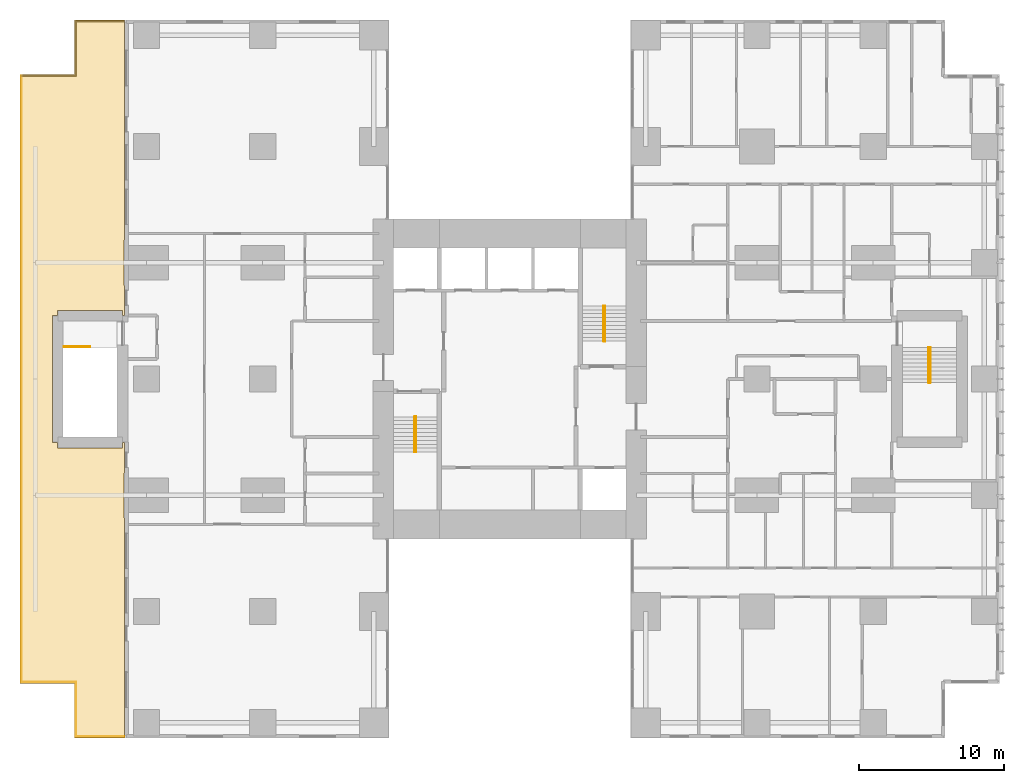
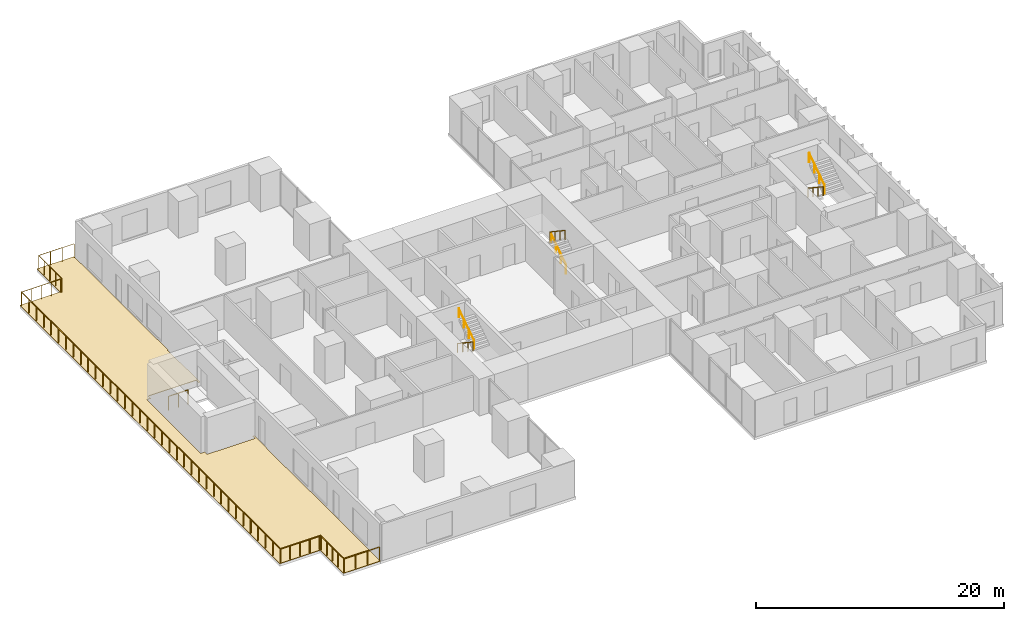
# One storey, part 16 of 16: 9 railings, 2 coverings.
"""IFC4 building model written with IfcOpenShell, lengths in metres."""

from ifc_helpers import new_model, si_unit, direction, frame, origin, origin_2d, place, context, subcontext, project, spatial, polyline, circle, outline, extrude, material, layer, layer_set, type_object, element, save


model = new_model("IFC4")

# Units and contexts
model_context = context("Model", 3, precision=1e-05, world=origin(), true_north=direction((0.0, 1.0)))
body_context = subcontext(model_context, "Body", "Model", "MODEL_VIEW")
ifc_project = project(units=[si_unit("LENGTHUNIT", "METRE"), si_unit("AREAUNIT", "SQUARE_METRE"), si_unit("VOLUMEUNIT", "CUBIC_METRE"), si_unit("PLANEANGLEUNIT", "RADIAN"), si_unit("MASSUNIT", "GRAM", prefix="KILO")], contexts=[model_context])

# Site, building, storey
site_placement = place(None, origin())
site = spatial("IfcSite", under=ifc_project, at=site_placement, CompositionType="ELEMENT")
building_placement = place(site_placement, origin())
building = spatial("IfcBuilding", under=site, at=building_placement, Name="Cleftline Residences", CompositionType="ELEMENT")
storey_placement = place(building_placement, frame((0.0, 0.0, 218.199951171875)))
storey = spatial("IfcBuildingStorey", under=building, at=storey_placement, Name="L57", CompositionType="ELEMENT", Elevation=218.199951171875)

# Railings
ifc_material_1 = material(Name="Stainless steel", Category="steel")
railing_type_1 = type_object("IfcRailingType", Name="HANDRAIL 900", PredefinedType="HANDRAIL", material=ifc_material_1)
railing_1_placement = place(storey_placement, frame((26.449951171875, 21.39990234375, 0.179931640625)))
element("IfcRailing", 1, at=railing_1_placement, inside=storey, type_object=railing_type_1, Name="Stair handrail", PredefinedType="HANDRAIL", context=body_context, shape_type="SweptSolid", body=[
    extrude(circle(Radius=0.02392578125, at=origin_2d()), frame((0.0, 0.0, 0.8759765625), z_axis=(0.0, -0.832024571796, 0.554738778101), x_axis=(1.0, 0.0, 0.0)), (0.0, 0.0, 1.0), 2.92041015625),
    extrude(circle(Radius=0.02099609375, at=origin_2d()), origin(), (0.0, 0.0, 1.0), 0.851806640625),
    extrude(circle(Radius=0.02099609375, at=origin_2d()), frame((0.0, -0.81005859375, 0.5400390625)), (0.0, 0.0, 1.0), 0.851806640625),
    extrude(circle(Radius=0.02099609375, at=origin_2d()), frame((0.0, -1.619873046875, 1.080078125)), (0.0, 0.0, 1.0), 0.851806640625),
    extrude(circle(Radius=0.02099609375, at=origin_2d()), frame((0.0, -2.429931640625, 1.6201171875)), (0.0, 0.0, 1.0), 0.851806640625),
])
for number, where, name in (
    (2, (26.550048828125, 18.969970703125, 1.97998046875), "Stair handrail"),
    (3, (39.550048828125, 26.60009765625, 0.179931640625), "Stair handrail"),
):
    element("IfcRailing", number, at=place(storey_placement, frame(where)), inside=storey, type_object=railing_type_1, Name=name, PredefinedType="HANDRAIL", context=body_context, shape_type="SweptSolid", body=[
        extrude(circle(Radius=0.02392578125, at=origin_2d()), frame((0.0, 0.0, 0.8759765625), z_axis=(0.0, 0.832024571796, 0.554738778101), x_axis=(-1.0, 0.0, 0.0)), (0.0, 0.0, 1.0), 2.92041015625),
        extrude(circle(Radius=0.02099609375, at=origin_2d()), origin(), (0.0, 0.0, 1.0), 0.851806640625),
        extrude(circle(Radius=0.02099609375, at=origin_2d()), frame((0.0, 0.81005859375, 0.5400390625)), (0.0, 0.0, 1.0), 0.851806640625),
        extrude(circle(Radius=0.02099609375, at=origin_2d()), frame((0.0, 1.619873046875, 1.080078125)), (0.0, 0.0, 1.0), 0.851806640625),
        extrude(circle(Radius=0.02099609375, at=origin_2d()), frame((0.0, 2.429931640625, 1.6201171875)), (0.0, 0.0, 1.0), 0.851806640625),
    ])
for number, where, name in (
    (4, (39.449951171875, 29.030029296875, 1.97998046875), "Stair handrail"),
    (5, (61.824951171875, 26.175048828125, 0.179931640625), "Stair handrail"),
):
    element("IfcRailing", number, at=place(storey_placement, frame(where)), inside=storey, type_object=railing_type_1, Name=name, PredefinedType="HANDRAIL", context=body_context, shape_type="SweptSolid", body=[
        extrude(circle(Radius=0.02392578125, at=origin_2d()), frame((0.0, 0.0, 0.8759765625), z_axis=(0.0, -0.832024571796, 0.554738778101), x_axis=(1.0, 0.0, 0.0)), (0.0, 0.0, 1.0), 2.92041015625),
        extrude(circle(Radius=0.02099609375, at=origin_2d()), origin(), (0.0, 0.0, 1.0), 0.851806640625),
        extrude(circle(Radius=0.02099609375, at=origin_2d()), frame((0.0, -0.81005859375, 0.5400390625)), (0.0, 0.0, 1.0), 0.851806640625),
        extrude(circle(Radius=0.02099609375, at=origin_2d()), frame((0.0, -1.619873046875, 1.080078125)), (0.0, 0.0, 1.0), 0.851806640625),
        extrude(circle(Radius=0.02099609375, at=origin_2d()), frame((0.0, -2.429931640625, 1.6201171875)), (0.0, 0.0, 1.0), 0.851806640625),
    ])
railing_2_placement = place(storey_placement, frame((61.925048828125, 23.7451171875, 1.97998046875)))
element("IfcRailing", 6, at=railing_2_placement, inside=storey, type_object=railing_type_1, Name="Stair handrail", PredefinedType="HANDRAIL", context=body_context, shape_type="SweptSolid", body=[
    extrude(circle(Radius=0.02392578125, at=origin_2d()), frame((0.0, 0.0, 0.8759765625), z_axis=(0.0, 0.832024571796, 0.554738778101), x_axis=(-1.0, 0.0, 0.0)), (0.0, 0.0, 1.0), 2.92041015625),
    extrude(circle(Radius=0.02099609375, at=origin_2d()), origin(), (0.0, 0.0, 1.0), 0.851806640625),
    extrude(circle(Radius=0.02099609375, at=origin_2d()), frame((0.0, 0.81005859375, 0.5400390625)), (0.0, 0.0, 1.0), 0.851806640625),
    extrude(circle(Radius=0.02099609375, at=origin_2d()), frame((0.0, 1.619873046875, 1.080078125)), (0.0, 0.0, 1.0), 0.851806640625),
    extrude(circle(Radius=0.02099609375, at=origin_2d()), frame((0.0, 2.429931640625, 1.6201171875)), (0.0, 0.0, 1.0), 0.851806640625),
])
ifc_material_2 = material(Name="Stainless steel and laminated glass", Category="steel")
railing_type_2 = type_object("IfcRailingType", Name="TERRACE GUARD 1400", PredefinedType="GUARDRAIL", material=ifc_material_2)
railing_3_placement = place(storey_placement, frame((-0.60009765625, 44.85009765625, 0.0)))
element("IfcRailing", 7, at=railing_3_placement, inside=storey, type_object=railing_type_2, Name="Terrace guard", PredefinedType="GUARDRAIL", context=body_context, shape_type="SweptSolid", body=[
    extrude(circle(Radius=0.02392578125, at=origin_2d()), frame((0.0, 0.0, 1.3759765625), z_axis=(1.0, 0.0, 0.0), x_axis=(0.0, 1.0, 0.0)), (0.0, 0.0, 1.0), 3.65234375),
    extrude(circle(Radius=0.02392578125, at=origin_2d()), frame((3.65234375, 0.0, 1.3759765625), z_axis=(0.998891678356, 0.047068194268, 0.0), x_axis=(-0.047068194268, 0.998891678356, 0.0)), (0.0, 0.0, 1.0), 0.09326171875),
    extrude(circle(Radius=0.02392578125, at=origin_2d()), frame((3.74560546875, 0.00439453125, 1.3759765625), z_axis=(0.047068194268, 0.998891678356, 0.0), x_axis=(-0.998891678356, 0.047068194268, 0.0)), (0.0, 0.0, 1.0), 0.09326171875),
    extrude(circle(Radius=0.02392578125, at=origin_2d()), frame((3.75, 0.09765625, 1.3759765625), z_axis=(0.0, 1.0, 0.0), x_axis=(-1.0, 0.0, 0.0)), (0.0, 0.0, 1.0), 3.65234375),
    extrude(circle(Radius=0.02392578125, at=origin_2d()), frame((3.75, 3.75, 1.3759765625), z_axis=(1.0, 0.0, 0.0), x_axis=(0.0, 1.0, 0.0)), (0.0, 0.0, 1.0), 3.300048828125),
    extrude(circle(Radius=0.02099609375, at=origin_2d()), origin(), (0.0, 0.0, 1.0), 1.351806640625),
    extrude(circle(Radius=0.02099609375, at=origin_2d()), frame((0.9130859375, 0.0, 0.0)), (0.0, 0.0, 1.0), 1.351806640625),
    extrude(circle(Radius=0.02099609375, at=origin_2d()), frame((1.826171875, 0.0, 0.0)), (0.0, 0.0, 1.0), 1.351806640625),
    extrude(circle(Radius=0.02099609375, at=origin_2d()), frame((2.7392578125, 0.0, 0.0)), (0.0, 0.0, 1.0), 1.351806640625),
    extrude(circle(Radius=0.02099609375, at=origin_2d()), frame((3.65234375, 0.0, 0.0)), (0.0, 0.0, 1.0), 1.351806640625),
    extrude(circle(Radius=0.02099609375, at=origin_2d()), frame((3.74560546875, 0.00439453125, 0.0)), (0.0, 0.0, 1.0), 1.351806640625),
    extrude(circle(Radius=0.02099609375, at=origin_2d()), frame((3.75, 0.09765625, 0.0)), (0.0, 0.0, 1.0), 1.351806640625),
    extrude(circle(Radius=0.02099609375, at=origin_2d()), frame((3.75, 1.0107421875, 0.0)), (0.0, 0.0, 1.0), 1.351806640625),
    extrude(circle(Radius=0.02099609375, at=origin_2d()), frame((3.75, 1.923828125, 0.0)), (0.0, 0.0, 1.0), 1.351806640625),
    extrude(circle(Radius=0.02099609375, at=origin_2d()), frame((3.75, 2.8369140625, 0.0)), (0.0, 0.0, 1.0), 1.351806640625),
    extrude(circle(Radius=0.02099609375, at=origin_2d()), frame((3.75, 3.75, 0.0)), (0.0, 0.0, 1.0), 1.351806640625),
    extrude(circle(Radius=0.02099609375, at=origin_2d()), frame((4.85009765625, 3.75, 0.0)), (0.0, 0.0, 1.0), 1.351806640625),
    extrude(circle(Radius=0.02099609375, at=origin_2d()), frame((5.949951171875, 3.75, 0.0)), (0.0, 0.0, 1.0), 1.351806640625),
    extrude(circle(Radius=0.02099609375, at=origin_2d()), frame((7.050048828125, 3.75, 0.0)), (0.0, 0.0, 1.0), 1.351806640625),
])
railing_4_placement = place(storey_placement, frame((6.449951171875, -0.60009765625, 0.0)))
element("IfcRailing", 8, at=railing_4_placement, inside=storey, type_object=railing_type_2, Name="Terrace guard", PredefinedType="GUARDRAIL", context=body_context, shape_type="SweptSolid", body=[
    extrude(circle(Radius=0.02392578125, at=origin_2d()), frame((0.0, 0.0, 1.3759765625), z_axis=(-1.0, 0.0, 0.0), x_axis=(0.0, -1.0, 0.0)), (0.0, 0.0, 1.0), 3.300048828125),
    extrude(circle(Radius=0.02392578125, at=origin_2d()), frame((-3.300048828125, 0.0, 1.3759765625), z_axis=(0.0, 1.0, 0.0), x_axis=(-1.0, 0.0, 0.0)), (0.0, 0.0, 1.0), 3.65234375),
    extrude(circle(Radius=0.02392578125, at=origin_2d()), frame((-3.300048828125, 3.65234375, 1.3759765625), z_axis=(-0.047068194268, 0.998891678356, 0.0), x_axis=(-0.998891678356, -0.047068194268, 0.0)), (0.0, 0.0, 1.0), 0.09326171875),
    extrude(circle(Radius=0.02392578125, at=origin_2d()), frame((-3.304443359375, 3.74560546875, 1.3759765625), z_axis=(-0.998891678356, 0.047068194268, 0.0), x_axis=(-0.047068194268, -0.998891678356, 0.0)), (0.0, 0.0, 1.0), 0.09326171875),
    extrude(circle(Radius=0.02392578125, at=origin_2d()), frame((-3.397705078125, 3.75, 1.3759765625), z_axis=(-1.0, 0.0, 0.0), x_axis=(0.0, -1.0, 0.0)), (0.0, 0.0, 1.0), 3.65234375),
    extrude(circle(Radius=0.02392578125, at=origin_2d()), frame((-7.050048828125, 3.75, 1.3759765625), z_axis=(0.0, 1.0, 0.0), x_axis=(-1.0, 0.0, 0.0)), (0.0, 0.0, 1.0), 41.7001953125),
    extrude(circle(Radius=0.02099609375, at=origin_2d()), origin(), (0.0, 0.0, 1.0), 1.351806640625),
    extrude(circle(Radius=0.02099609375, at=origin_2d()), frame((-1.10009765625, 0.0, 0.0)), (0.0, 0.0, 1.0), 1.351806640625),
    extrude(circle(Radius=0.02099609375, at=origin_2d()), frame((-2.199951171875, 0.0, 0.0)), (0.0, 0.0, 1.0), 1.351806640625),
    extrude(circle(Radius=0.02099609375, at=origin_2d()), frame((-3.300048828125, 0.0, 0.0)), (0.0, 0.0, 1.0), 1.351806640625),
    extrude(circle(Radius=0.02099609375, at=origin_2d()), frame((-3.300048828125, 0.9130859375, 0.0)), (0.0, 0.0, 1.0), 1.351806640625),
    extrude(circle(Radius=0.02099609375, at=origin_2d()), frame((-3.300048828125, 1.826171875, 0.0)), (0.0, 0.0, 1.0), 1.351806640625),
    extrude(circle(Radius=0.02099609375, at=origin_2d()), frame((-3.300048828125, 2.7392578125, 0.0)), (0.0, 0.0, 1.0), 1.351806640625),
    extrude(circle(Radius=0.02099609375, at=origin_2d()), frame((-3.300048828125, 3.65234375, 0.0)), (0.0, 0.0, 1.0), 1.351806640625),
    extrude(circle(Radius=0.02099609375, at=origin_2d()), frame((-3.304443359375, 3.74560546875, 0.0)), (0.0, 0.0, 1.0), 1.351806640625),
    extrude(circle(Radius=0.02099609375, at=origin_2d()), frame((-3.397705078125, 3.75, 0.0)), (0.0, 0.0, 1.0), 1.351806640625),
    extrude(circle(Radius=0.02099609375, at=origin_2d()), frame((-4.310791015625, 3.75, 0.0)), (0.0, 0.0, 1.0), 1.351806640625),
    extrude(circle(Radius=0.02099609375, at=origin_2d()), frame((-5.223876953125, 3.75, 0.0)), (0.0, 0.0, 1.0), 1.351806640625),
    extrude(circle(Radius=0.02099609375, at=origin_2d()), frame((-6.136962890625, 3.75, 0.0)), (0.0, 0.0, 1.0), 1.351806640625),
    extrude(circle(Radius=0.02099609375, at=origin_2d()), frame((-7.050048828125, 3.75, 0.0)), (0.0, 0.0, 1.0), 1.351806640625),
    extrude(circle(Radius=0.02099609375, at=origin_2d()), frame((-7.050048828125, 4.94140625, 0.0)), (0.0, 0.0, 1.0), 1.351806640625),
    extrude(circle(Radius=0.02099609375, at=origin_2d()), frame((-7.050048828125, 6.1328125, 0.0)), (0.0, 0.0, 1.0), 1.351806640625),
    extrude(circle(Radius=0.02099609375, at=origin_2d()), frame((-7.050048828125, 7.32421875, 0.0)), (0.0, 0.0, 1.0), 1.351806640625),
    extrude(circle(Radius=0.02099609375, at=origin_2d()), frame((-7.050048828125, 8.515625, 0.0)), (0.0, 0.0, 1.0), 1.351806640625),
    extrude(circle(Radius=0.02099609375, at=origin_2d()), frame((-7.050048828125, 9.707275390625, 0.0)), (0.0, 0.0, 1.0), 1.351806640625),
    extrude(circle(Radius=0.02099609375, at=origin_2d()), frame((-7.050048828125, 10.898681640625, 0.0)), (0.0, 0.0, 1.0), 1.351806640625),
    extrude(circle(Radius=0.02099609375, at=origin_2d()), frame((-7.050048828125, 12.090087890625, 0.0)), (0.0, 0.0, 1.0), 1.351806640625),
    extrude(circle(Radius=0.02099609375, at=origin_2d()), frame((-7.050048828125, 13.281494140625, 0.0)), (0.0, 0.0, 1.0), 1.351806640625),
    extrude(circle(Radius=0.02099609375, at=origin_2d()), frame((-7.050048828125, 14.472900390625, 0.0)), (0.0, 0.0, 1.0), 1.351806640625),
    extrude(circle(Radius=0.02099609375, at=origin_2d()), frame((-7.050048828125, 15.664306640625, 0.0)), (0.0, 0.0, 1.0), 1.351806640625),
    extrude(circle(Radius=0.02099609375, at=origin_2d()), frame((-7.050048828125, 16.855712890625, 0.0)), (0.0, 0.0, 1.0), 1.351806640625),
    extrude(circle(Radius=0.02099609375, at=origin_2d()), frame((-7.050048828125, 18.047119140625, 0.0)), (0.0, 0.0, 1.0), 1.351806640625),
    extrude(circle(Radius=0.02099609375, at=origin_2d()), frame((-7.050048828125, 19.238525390625, 0.0)), (0.0, 0.0, 1.0), 1.351806640625),
    extrude(circle(Radius=0.02099609375, at=origin_2d()), frame((-7.050048828125, 20.43017578125, 0.0)), (0.0, 0.0, 1.0), 1.351806640625),
    extrude(circle(Radius=0.02099609375, at=origin_2d()), frame((-7.050048828125, 21.62158203125, 0.0)), (0.0, 0.0, 1.0), 1.351806640625),
    extrude(circle(Radius=0.02099609375, at=origin_2d()), frame((-7.050048828125, 22.81298828125, 0.0)), (0.0, 0.0, 1.0), 1.351806640625),
    extrude(circle(Radius=0.02099609375, at=origin_2d()), frame((-7.050048828125, 24.00439453125, 0.0)), (0.0, 0.0, 1.0), 1.351806640625),
    extrude(circle(Radius=0.02099609375, at=origin_2d()), frame((-7.050048828125, 25.19580078125, 0.0)), (0.0, 0.0, 1.0), 1.351806640625),
    extrude(circle(Radius=0.02099609375, at=origin_2d()), frame((-7.050048828125, 26.38720703125, 0.0)), (0.0, 0.0, 1.0), 1.351806640625),
    extrude(circle(Radius=0.02099609375, at=origin_2d()), frame((-7.050048828125, 27.57861328125, 0.0)), (0.0, 0.0, 1.0), 1.351806640625),
    extrude(circle(Radius=0.02099609375, at=origin_2d()), frame((-7.050048828125, 28.77001953125, 0.0)), (0.0, 0.0, 1.0), 1.351806640625),
    extrude(circle(Radius=0.02099609375, at=origin_2d()), frame((-7.050048828125, 29.961669921875, 0.0)), (0.0, 0.0, 1.0), 1.351806640625),
    extrude(circle(Radius=0.02099609375, at=origin_2d()), frame((-7.050048828125, 31.153076171875, 0.0)), (0.0, 0.0, 1.0), 1.351806640625),
    extrude(circle(Radius=0.02099609375, at=origin_2d()), frame((-7.050048828125, 32.344482421875, 0.0)), (0.0, 0.0, 1.0), 1.351806640625),
    extrude(circle(Radius=0.02099609375, at=origin_2d()), frame((-7.050048828125, 33.535888671875, 0.0)), (0.0, 0.0, 1.0), 1.351806640625),
    extrude(circle(Radius=0.02099609375, at=origin_2d()), frame((-7.050048828125, 34.727294921875, 0.0)), (0.0, 0.0, 1.0), 1.351806640625),
    extrude(circle(Radius=0.02099609375, at=origin_2d()), frame((-7.050048828125, 35.918701171875, 0.0)), (0.0, 0.0, 1.0), 1.351806640625),
    extrude(circle(Radius=0.02099609375, at=origin_2d()), frame((-7.050048828125, 37.110107421875, 0.0)), (0.0, 0.0, 1.0), 1.351806640625),
    extrude(circle(Radius=0.02099609375, at=origin_2d()), frame((-7.050048828125, 38.301513671875, 0.0)), (0.0, 0.0, 1.0), 1.351806640625),
    extrude(circle(Radius=0.02099609375, at=origin_2d()), frame((-7.050048828125, 39.492919921875, 0.0)), (0.0, 0.0, 1.0), 1.351806640625),
    extrude(circle(Radius=0.02099609375, at=origin_2d()), frame((-7.050048828125, 40.6845703125, 0.0)), (0.0, 0.0, 1.0), 1.351806640625),
    extrude(circle(Radius=0.02099609375, at=origin_2d()), frame((-7.050048828125, 41.8759765625, 0.0)), (0.0, 0.0, 1.0), 1.351806640625),
    extrude(circle(Radius=0.02099609375, at=origin_2d()), frame((-7.050048828125, 43.0673828125, 0.0)), (0.0, 0.0, 1.0), 1.351806640625),
    extrude(circle(Radius=0.02099609375, at=origin_2d()), frame((-7.050048828125, 44.2587890625, 0.0)), (0.0, 0.0, 1.0), 1.351806640625),
    extrude(circle(Radius=0.02099609375, at=origin_2d()), frame((-7.050048828125, 45.4501953125, 0.0)), (0.0, 0.0, 1.0), 1.351806640625),
])
railing_5_placement = place(storey_placement, frame((2.324951171875, 26.22509765625, 0.0)))
element("IfcRailing", 9, at=railing_5_placement, inside=storey, type_object=railing_type_2, Name="Stair well guard", PredefinedType="GUARDRAIL", context=body_context, shape_type="SweptSolid", body=[
    extrude(circle(Radius=0.02392578125, at=origin_2d()), frame((0.0, 0.0, 1.3759765625), z_axis=(1.0, 0.0, 0.0), x_axis=(0.0, 1.0, 0.0)), (0.0, 0.0, 1.0), 1.800048828125),
    extrude(circle(Radius=0.02099609375, at=origin_2d()), origin(), (0.0, 0.0, 1.0), 1.351806640625),
    extrude(circle(Radius=0.02099609375, at=origin_2d()), frame((0.89990234375, 0.0, 0.0)), (0.0, 0.0, 1.0), 1.351806640625),
    extrude(circle(Radius=0.02099609375, at=origin_2d()), frame((1.800048828125, 0.0, 0.0)), (0.0, 0.0, 1.0), 1.351806640625),
])

# Coverings
ifc_material_3 = material(Name="Porcelain paving on adhesive bed")
ifc_layer_1 = layer(ifc_material_3, 0.0400390625)
ifc_layer_set_1 = layer_set([ifc_layer_1], Name="TERRACE PAVING 40")
covering_type_1 = type_object("IfcCoveringType", Name="TERRACE PAVING 40", PredefinedType="FLOORING", material=ifc_layer_set_1)
covering_1_placement = place(storey_placement, frame((0.0, 0.0, 0.005126953125)))
element("IfcCovering", 10, at=covering_1_placement, inside=storey, type_object=covering_type_1, Name="Terrace paving L57 1", PredefinedType="FLOORING", context=body_context, shape_type="SweptSolid", body=[
    extrude(outline(polyline([(3.050048828125, 3.0498046875), (3.050048828125, -0.68994140625), (3.050048828125, -0.69091796875), (3.05029296875, -0.69189453125), (3.05029296875, -0.69287109375), (3.05078125, -0.69384765625), (3.05126953125, -0.694580078125), (3.0517578125, -0.695556640625), (3.05224609375, -0.6962890625), (3.052978515625, -0.697021484375), (3.0537109375, -0.69775390625), (3.054443359375, -0.6982421875), (3.055419921875, -0.69873046875), (3.05615234375, -0.69921875), (3.05712890625, -0.69970703125), (3.05810546875, -0.69970703125), (3.05908203125, -0.699951171875), (3.06005859375, -0.699951171875), (6.489990234375, -0.699951171875), (6.490966796875, -0.699951171875), (6.491943359375, -0.69970703125), (6.492919921875, -0.69970703125), (6.493896484375, -0.69921875), (6.49462890625, -0.69873046875), (6.49560546875, -0.6982421875), (6.496337890625, -0.69775390625), (6.4970703125, -0.697021484375), (6.497802734375, -0.6962890625), (6.498291015625, -0.695556640625), (6.498779296875, -0.694580078125), (6.499267578125, -0.69384765625), (6.49951171875, -0.69287109375), (6.499755859375, -0.69189453125), (6.5, -0.69091796875), (6.5, -0.68994140625), (6.5, -0.580078125), (6.4951171875, -0.580078125), (6.4951171875, 14.449951171875), (6.449951171875, 14.449951171875), (6.449951171875, 17.550048828125), (6.4951171875, 17.550048828125), (6.4951171875, 19.64501953125), (6.35498046875, 19.64501953125), (6.35498046875, 19.27001953125), (1.89501953125, 19.27001953125), (1.89501953125, 19.64501953125), (1.52001953125, 19.64501953125), (1.52001953125, 28.35498046875), (1.89501953125, 28.35498046875), (1.89501953125, 28.72998046875), (6.35498046875, 28.72998046875), (6.35498046875, 28.35498046875), (6.4951171875, 28.35498046875), (6.4951171875, 30.449951171875), (6.449951171875, 30.449951171875), (6.449951171875, 33.550048828125), (6.4951171875, 33.550048828125), (6.4951171875, 48.580078125), (6.5, 48.580078125), (6.5, 48.68994140625), (6.5, 48.69091796875), (6.499755859375, 48.69189453125), (6.49951171875, 48.69287109375), (6.499267578125, 48.69384765625), (6.498779296875, 48.694580078125), (6.498291015625, 48.695556640625), (6.497802734375, 48.6962890625), (6.4970703125, 48.697021484375), (6.496337890625, 48.69775390625), (6.49560546875, 48.6982421875), (6.49462890625, 48.69873046875), (6.493896484375, 48.69921875), (6.492919921875, 48.69970703125), (6.491943359375, 48.69970703125), (6.490966796875, 48.699951171875), (6.489990234375, 48.699951171875), (3.06005859375, 48.699951171875), (3.05908203125, 48.699951171875), (3.05810546875, 48.69970703125), (3.05712890625, 48.69970703125), (3.05615234375, 48.69921875), (3.055419921875, 48.69873046875), (3.054443359375, 48.6982421875), (3.0537109375, 48.69775390625), (3.052978515625, 48.697021484375), (3.05224609375, 48.6962890625), (3.0517578125, 48.695556640625), (3.05126953125, 48.694580078125), (3.05078125, 48.69384765625), (3.05029296875, 48.69287109375), (3.05029296875, 48.69189453125), (3.050048828125, 48.69091796875), (3.050048828125, 48.68994140625), (3.050048828125, 44.9501953125), (3.050048828125, 44.949951171875), (3.0498046875, 44.949951171875), (-0.68994140625, 44.949951171875), (-0.69091796875, 44.949951171875), (-0.69189453125, 44.94970703125), (-0.69287109375, 44.94970703125), (-0.69384765625, 44.94921875), (-0.694580078125, 44.94873046875), (-0.695556640625, 44.9482421875), (-0.6962890625, 44.94775390625), (-0.697021484375, 44.947021484375), (-0.69775390625, 44.9462890625), (-0.6982421875, 44.945556640625), (-0.69873046875, 44.944580078125), (-0.69921875, 44.94384765625), (-0.69970703125, 44.94287109375), (-0.69970703125, 44.94189453125), (-0.699951171875, 44.94091796875), (-0.699951171875, 44.93994140625), (-0.699951171875, 3.06005859375), (-0.699951171875, 3.05908203125), (-0.69970703125, 3.05810546875), (-0.69970703125, 3.05712890625), (-0.69921875, 3.05615234375), (-0.69873046875, 3.055419921875), (-0.6982421875, 3.054443359375), (-0.69775390625, 3.0537109375), (-0.697021484375, 3.052978515625), (-0.6962890625, 3.05224609375), (-0.695556640625, 3.0517578125), (-0.694580078125, 3.05126953125), (-0.69384765625, 3.05078125), (-0.69287109375, 3.05029296875), (-0.69189453125, 3.05029296875), (-0.69091796875, 3.050048828125), (-0.68994140625, 3.050048828125), (3.0498046875, 3.050048828125), (3.050048828125, 3.050048828125), (3.050048828125, 3.0498046875)])), origin(), (0.0, 0.0, 1.0), 0.0400390625),
])
ifc_material_4 = material(Name="Liquid-applied polyurethane waterproofing")
ifc_layer_2 = layer(ifc_material_4, 0.0048828125)
ifc_layer_set_2 = layer_set([ifc_layer_2], Name="TERRACE WATERPROOFING 5")
covering_type_2 = type_object("IfcCoveringType", Name="TERRACE WATERPROOFING 5", PredefinedType="ROOFING", material=ifc_layer_set_2)
covering_2_placement = place(storey_placement, origin())
element("IfcCovering", 11, at=covering_2_placement, inside=storey, type_object=covering_type_2, Name="Terrace waterproofing L57 1", PredefinedType="ROOFING", context=body_context, shape_type="SweptSolid", body=[
    extrude(outline(polyline([(3.050048828125, 3.0498046875), (3.050048828125, -0.68994140625), (3.050048828125, -0.69091796875), (3.05029296875, -0.69189453125), (3.05029296875, -0.69287109375), (3.05078125, -0.69384765625), (3.05126953125, -0.694580078125), (3.0517578125, -0.695556640625), (3.05224609375, -0.6962890625), (3.052978515625, -0.697021484375), (3.0537109375, -0.69775390625), (3.054443359375, -0.6982421875), (3.055419921875, -0.69873046875), (3.05615234375, -0.69921875), (3.05712890625, -0.69970703125), (3.05810546875, -0.69970703125), (3.05908203125, -0.699951171875), (3.06005859375, -0.699951171875), (6.489990234375, -0.699951171875), (6.490966796875, -0.699951171875), (6.491943359375, -0.69970703125), (6.492919921875, -0.69970703125), (6.493896484375, -0.69921875), (6.49462890625, -0.69873046875), (6.49560546875, -0.6982421875), (6.496337890625, -0.69775390625), (6.4970703125, -0.697021484375), (6.497802734375, -0.6962890625), (6.498291015625, -0.695556640625), (6.498779296875, -0.694580078125), (6.499267578125, -0.69384765625), (6.49951171875, -0.69287109375), (6.499755859375, -0.69189453125), (6.5, -0.69091796875), (6.5, -0.68994140625), (6.5, -0.580078125), (6.4951171875, -0.580078125), (6.4951171875, 14.449951171875), (6.449951171875, 14.449951171875), (6.449951171875, 17.550048828125), (6.4951171875, 17.550048828125), (6.4951171875, 19.64501953125), (6.35498046875, 19.64501953125), (6.35498046875, 19.27001953125), (1.89501953125, 19.27001953125), (1.89501953125, 19.64501953125), (1.52001953125, 19.64501953125), (1.52001953125, 28.35498046875), (1.89501953125, 28.35498046875), (1.89501953125, 28.72998046875), (6.35498046875, 28.72998046875), (6.35498046875, 28.35498046875), (6.4951171875, 28.35498046875), (6.4951171875, 30.449951171875), (6.449951171875, 30.449951171875), (6.449951171875, 33.550048828125), (6.4951171875, 33.550048828125), (6.4951171875, 48.580078125), (6.5, 48.580078125), (6.5, 48.68994140625), (6.5, 48.69091796875), (6.499755859375, 48.69189453125), (6.49951171875, 48.69287109375), (6.499267578125, 48.69384765625), (6.498779296875, 48.694580078125), (6.498291015625, 48.695556640625), (6.497802734375, 48.6962890625), (6.4970703125, 48.697021484375), (6.496337890625, 48.69775390625), (6.49560546875, 48.6982421875), (6.49462890625, 48.69873046875), (6.493896484375, 48.69921875), (6.492919921875, 48.69970703125), (6.491943359375, 48.69970703125), (6.490966796875, 48.699951171875), (6.489990234375, 48.699951171875), (3.06005859375, 48.699951171875), (3.05908203125, 48.699951171875), (3.05810546875, 48.69970703125), (3.05712890625, 48.69970703125), (3.05615234375, 48.69921875), (3.055419921875, 48.69873046875), (3.054443359375, 48.6982421875), (3.0537109375, 48.69775390625), (3.052978515625, 48.697021484375), (3.05224609375, 48.6962890625), (3.0517578125, 48.695556640625), (3.05126953125, 48.694580078125), (3.05078125, 48.69384765625), (3.05029296875, 48.69287109375), (3.05029296875, 48.69189453125), (3.050048828125, 48.69091796875), (3.050048828125, 48.68994140625), (3.050048828125, 44.9501953125), (3.050048828125, 44.949951171875), (3.0498046875, 44.949951171875), (-0.68994140625, 44.949951171875), (-0.69091796875, 44.949951171875), (-0.69189453125, 44.94970703125), (-0.69287109375, 44.94970703125), (-0.69384765625, 44.94921875), (-0.694580078125, 44.94873046875), (-0.695556640625, 44.9482421875), (-0.6962890625, 44.94775390625), (-0.697021484375, 44.947021484375), (-0.69775390625, 44.9462890625), (-0.6982421875, 44.945556640625), (-0.69873046875, 44.944580078125), (-0.69921875, 44.94384765625), (-0.69970703125, 44.94287109375), (-0.69970703125, 44.94189453125), (-0.699951171875, 44.94091796875), (-0.699951171875, 44.93994140625), (-0.699951171875, 3.06005859375), (-0.699951171875, 3.05908203125), (-0.69970703125, 3.05810546875), (-0.69970703125, 3.05712890625), (-0.69921875, 3.05615234375), (-0.69873046875, 3.055419921875), (-0.6982421875, 3.054443359375), (-0.69775390625, 3.0537109375), (-0.697021484375, 3.052978515625), (-0.6962890625, 3.05224609375), (-0.695556640625, 3.0517578125), (-0.694580078125, 3.05126953125), (-0.69384765625, 3.05078125), (-0.69287109375, 3.05029296875), (-0.69189453125, 3.05029296875), (-0.69091796875, 3.050048828125), (-0.68994140625, 3.050048828125), (3.0498046875, 3.050048828125), (3.050048828125, 3.050048828125), (3.050048828125, 3.0498046875)])), origin(), (0.0, 0.0, 1.0), 0.005126953125),
])

save(model, "model.ifc")
